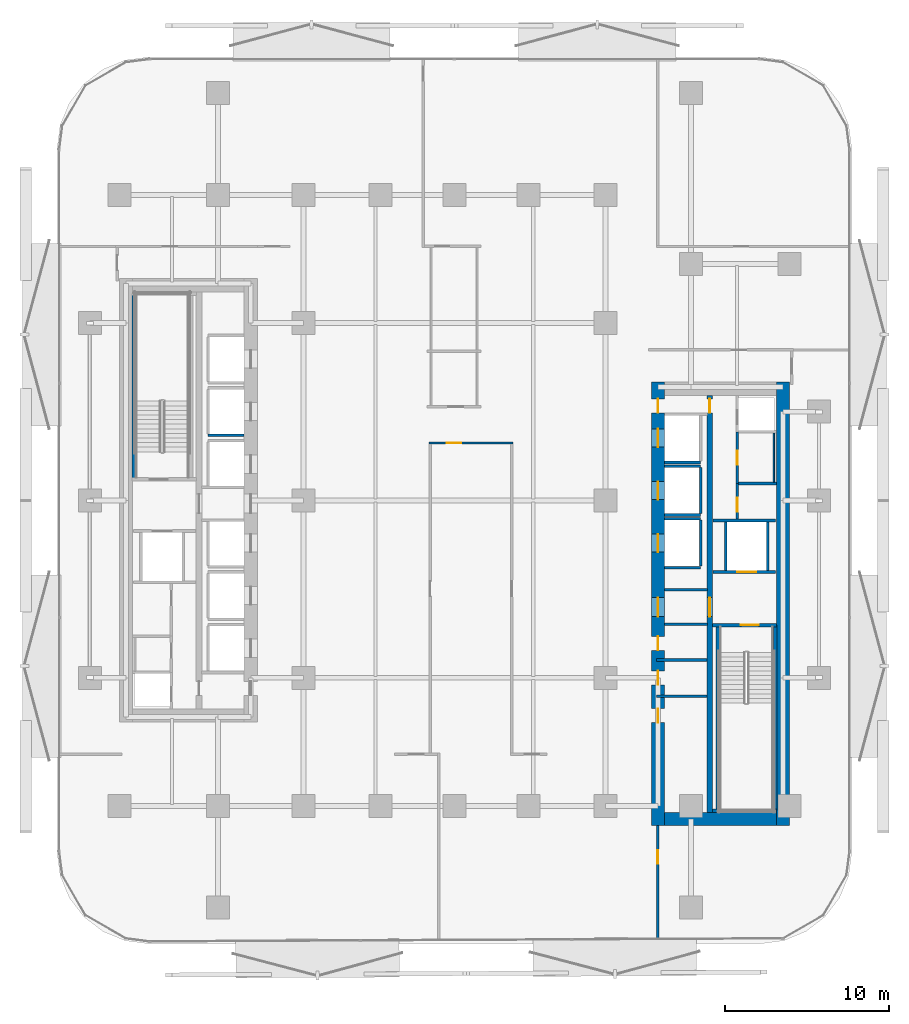
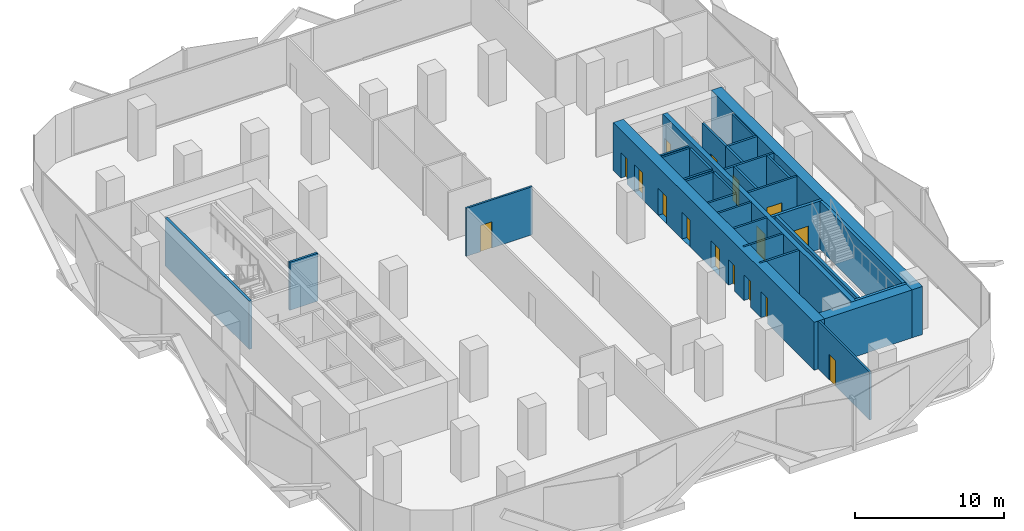
# One storey, part 4 of 15: 31 walls, 16 doors, 16 openings.
"""IFC4 building model written with IfcOpenShell, lengths in metres."""

from ifc_helpers import new_model, si_unit, direction, frame, frame_2d, origin, place, context, subcontext, project, spatial, rectangle, extrude, material, layer, layer_set, type_object, element, fill, save


model = new_model("IFC4")

# Units and contexts
model_context = context("Model", 3, precision=1e-05, world=origin(), true_north=direction((0.0, 1.0)))
body_context = subcontext(model_context, "Body", "Model", "MODEL_VIEW")
ifc_project = project(units=[si_unit("LENGTHUNIT", "METRE"), si_unit("AREAUNIT", "SQUARE_METRE"), si_unit("VOLUMEUNIT", "CUBIC_METRE"), si_unit("PLANEANGLEUNIT", "RADIAN"), si_unit("MASSUNIT", "GRAM", prefix="KILO")], contexts=[model_context])

# Site, building, storey
site_placement = place(None, origin())
site = spatial("IfcSite", under=ifc_project, at=site_placement, CompositionType="ELEMENT")
building_placement = place(site_placement, origin())
building = spatial("IfcBuilding", under=site, at=building_placement, Name="Khairoan Windgate Tower", CompositionType="ELEMENT")
storey_placement = place(building_placement, frame((0.0, 0.0, 59.60009765625)))
storey = spatial("IfcBuildingStorey", under=building, at=storey_placement, Name="L14", CompositionType="ELEMENT", Elevation=59.60009765625)

# Walls
ifc_material_1 = material(Name="Moisture-Resistant Gypsum Partition", Category="gypsum")
ifc_layer_1 = layer(ifc_material_1, 0.10009765625, Name="Moisture-Resistant Gypsum Partition")
ifc_layer_set_1 = layer_set([ifc_layer_1], Name="Moisture-Resistant Gypsum Partition")
wall_type_1 = type_object("IfcWallType", Name="Bathroom Wet-Area Partition Wall", PredefinedType="PARTITIONING", material=ifc_layer_set_1)
wall_1_placement = place(storey_placement, frame((19.449951171875, 4.090087890625, 0.0), z_axis=(0.0, 0.0, 1.0), x_axis=(0.0, -1.0, 0.0)))
element("IfcWall", 1, at=wall_1_placement, inside=storey, type_object=wall_type_1, Name="L14 Wet Room Side Wall 035", PredefinedType="PARTITIONING", context=body_context, shape_type="SweptSolid", body=[
    extrude(rectangle(XDim=2.97998046875, YDim=0.10009765625, at=frame_2d((1.489990234375, 0.0))), origin(), (0.0, 0.0, 1.0), 3.93994140625),
])
ifc_material_2 = material(Name="Concrete C40/50", Category="concrete")
ifc_layer_2 = layer(ifc_material_2, 0.159912109375, Name="Concrete C40/50")
ifc_layer_set_2 = layer_set([ifc_layer_2], Name="Concrete C40/50")
wall_type_2 = type_object("IfcWallType", Name="Core and Hoistway Enclosure Wall", PredefinedType="STANDARD", material=ifc_layer_set_2)
for number, where, z_axis, x_axis, name in (
    (2, (-14.989990234375, 3.9599609375, 0.0), (0.0, 0.0, 1.0), (1.0, 0.0, 0.0), "L14 Lift PL2 Hoistway Divider S"),
    (3, (12.800048828125, 2.31005859375, 0.0), (0.0, 0.0, 1.0), (1.0, 0.0, 0.0), "L14 Lift PL7 Hoistway Divider S"),
    (4, (12.800048828125, -0.889892578125, 0.0), (0.0, 0.0, 1.0), (1.0, 0.0, 0.0), "L14 Lift PL8 Hoistway Divider S"),
    (5, (12.800048828125, 2.090087890625, 0.0), (0.0, 0.0, 1.0), (1.0, 0.0, 0.0), "L14 Lift PL8 Hoistway Divider N"),
):
    element("IfcWall", number, at=place(storey_placement, frame(where, z_axis=z_axis, x_axis=x_axis)), inside=storey, type_object=wall_type_2, Name=name, PredefinedType="STANDARD", context=body_context, shape_type="SweptSolid", body=[
        extrude(rectangle(XDim=2.18994140625, YDim=0.159912109375, at=frame_2d((1.094970703125, 0.0))), origin(), (0.0, 0.0, 1.0), 3.93994140625),
    ])
wall_2_placement = place(storey_placement, frame((14.989990234375, -0.800048828125, 0.0), z_axis=(0.0, 0.0, 1.0), x_axis=(0.0, 1.0, 0.0)))
element("IfcWall", 6, at=wall_2_placement, inside=storey, type_object=wall_type_2, Name="L14 Lift PL8 Hoistway Back Wall", PredefinedType="STANDARD", context=body_context, shape_type="SweptSolid", body=[
    extrude(rectangle(XDim=2.800048828125, YDim=0.159912109375, at=frame_2d((1.39990234375, 0.0))), origin(), (0.0, 0.0, 1.0), 3.93994140625),
])
for number, where, z_axis, x_axis, name in (
    (7, (12.800048828125, -4.090087890625, 0.0), (0.0, 0.0, 1.0), (1.0, 0.0, 0.0), "L14 Lift PL9 Hoistway Divider S"),
    (8, (12.800048828125, -1.110107421875, 0.0), (0.0, 0.0, 1.0), (1.0, 0.0, 0.0), "L14 Lift PL9 Hoistway Divider N"),
):
    element("IfcWall", number, at=place(storey_placement, frame(where, z_axis=z_axis, x_axis=x_axis)), inside=storey, type_object=wall_type_2, Name=name, PredefinedType="STANDARD", context=body_context, shape_type="SweptSolid", body=[
        extrude(rectangle(XDim=2.18994140625, YDim=0.159912109375, at=frame_2d((1.094970703125, 0.0))), origin(), (0.0, 0.0, 1.0), 3.93994140625),
    ])
wall_3_placement = place(storey_placement, frame((14.989990234375, -4.0, 0.0), z_axis=(0.0, 0.0, 1.0), x_axis=(0.0, 1.0, 0.0)))
element("IfcWall", 9, at=wall_3_placement, inside=storey, type_object=wall_type_2, Name="L14 Lift PL9 Hoistway Back Wall", PredefinedType="STANDARD", context=body_context, shape_type="SweptSolid", body=[
    extrude(rectangle(XDim=2.800048828125, YDim=0.159912109375, at=frame_2d((1.39990234375, 0.0))), origin(), (0.0, 0.0, 1.0), 3.93994140625),
])

# Wall, opening, door
wall_4_placement = place(storey_placement, frame((15.75, -4.360107421875, 0.0), z_axis=(0.0, 0.0, 1.0), x_axis=(1.0, 0.0, 0.0)))
wall_4 = element("IfcWall", 10, at=wall_4_placement, inside=storey, type_object=wall_type_2, Name="L14 Core Shaft Wall SW-FL1-L14", PredefinedType="STANDARD", context=body_context, shape_type="SweptSolid", body=[
    extrude(rectangle(XDim=3.800048828125, YDim=0.159912109375, at=frame_2d((1.89990234375, 0.0))), origin(), (0.0, 0.0, 1.0), 3.93994140625),
])
opening_1_placement = place(wall_4_placement, frame((1.469970703125, 0.0, 0.0)))
opening_1 = element("IfcOpeningElement", 11, at=opening_1_placement, cuts=wall_4, Name="Opening LD-FL", PredefinedType="OPENING", context=body_context, shape_type="SweptSolid", body=[
    extrude(rectangle(XDim=1.14990234375, YDim=2.199951171875, at=frame_2d((0.574951171875, 1.10009765625))), frame((0.0, 0.08984375, 0.0), z_axis=(0.0, -1.0, 0.0), x_axis=(1.0, 0.0, 0.0)), (0.0, 0.0, 1.0), 0.179931640625),
])
ifc_material_3 = material(Name="Steel S355", Category="steel")
door_type_1 = type_object("IfcDoorType", Name="Firefighting Lift Sliding Landing Door LD-FL 1150x2200", OperationType="DOUBLE_DOOR_SLIDING", PredefinedType="DOOR", material=ifc_material_3)
door_1_placement = place(opening_1_placement, origin())
door_1 = element("IfcDoor", 12, at=door_1_placement, inside=storey, type_object=door_type_1, Name="L14 Firefighting Lift FL1 Landing Door", OperationType="DOUBLE_DOOR_SLIDING", OverallHeight=2.199951171875, OverallWidth=1.14990234375, PredefinedType="DOOR", context=body_context, shape_type="SweptSolid", body=[
    extrude(rectangle(XDim=1.14990234375, YDim=2.199951171875, at=frame_2d((0.574951171875, 1.10009765625))), frame((0.0, 0.02490234375, 0.0), z_axis=(0.0, -1.0, 0.0), x_axis=(1.0, 0.0, 0.0)), (0.0, 0.0, 1.0), 0.050048828125),
])
fill(opening_1, door_1)

# Walls
wall_5_placement = place(storey_placement, frame((15.75, -1.219970703125, 0.0), z_axis=(0.0, 0.0, 1.0), x_axis=(1.0, 0.0, 0.0)))
element("IfcWall", 13, at=wall_5_placement, inside=storey, type_object=wall_type_2, Name="L14 Core Shaft Wall SW-FL1T-L14", PredefinedType="STANDARD", context=body_context, shape_type="SweptSolid", body=[
    extrude(rectangle(XDim=3.800048828125, YDim=0.159912109375, at=frame_2d((1.89990234375, 0.0))), origin(), (0.0, 0.0, 1.0), 3.93994140625),
])
for number, where, z_axis, x_axis, name in (
    (14, (16.52001953125, -4.280029296875, 0.0), (0.0, 0.0, 1.0), (0.0, 1.0, 0.0), "L14 Core Shaft Wall SW-FL1W-L14"),
    (15, (19.080078125, -4.280029296875, 0.0), (0.0, 0.0, 1.0), (0.0, 1.0, 0.0), "L14 Core Shaft Wall SW-FL1E-L14"),
):
    element("IfcWall", number, at=place(storey_placement, frame(where, z_axis=z_axis, x_axis=x_axis)), inside=storey, type_object=wall_type_2, Name=name, PredefinedType="STANDARD", context=body_context, shape_type="SweptSolid", body=[
        extrude(rectangle(XDim=2.97998046875, YDim=0.159912109375, at=frame_2d((1.489990234375, 0.0))), origin(), (0.0, 0.0, 1.0), 3.93994140625),
    ])
for number, where, z_axis, x_axis, name in (
    (16, (12.800048828125, -5.449951171875, 0.0), (0.0, 0.0, 1.0), (1.0, 0.0, 0.0), "L14 Core Shaft Wall SW-EV1-L14"),
    (17, (12.800048828125, -7.5400390625, 0.0), (0.0, 0.0, 1.0), (1.0, 0.0, 0.0), "L14 Core Shaft Wall SW-EV2-L14"),
):
    element("IfcWall", number, at=place(storey_placement, frame(where, z_axis=z_axis, x_axis=x_axis)), inside=storey, type_object=wall_type_2, Name=name, PredefinedType="STANDARD", context=body_context, shape_type="SweptSolid", body=[
        extrude(rectangle(XDim=2.599853515625, YDim=0.159912109375, at=frame_2d((1.2998046875, 0.0))), origin(), (0.0, 0.0, 1.0), 3.93994140625),
    ])

# Wall, opening, door
ifc_material_4 = material(Name="Acoustic Fire-Rated Gypsum Partition", Category="gypsum")
ifc_layer_3 = layer(ifc_material_4, 0.139892578125, Name="Acoustic Fire-Rated Gypsum Partition")
ifc_layer_set_3 = layer_set([ifc_layer_3], Name="Acoustic Fire-Rated Gypsum Partition")
wall_type_3 = type_object("IfcWallType", Name="Inter-Tenancy Compartment Wall", PredefinedType="PARTITIONING", material=ifc_layer_set_3)
wall_6_placement = place(storey_placement, frame((12.3759765625, -26.704833984375, 0.0), z_axis=(0.0, 0.0, 1.0), x_axis=(0.0, 1.0, 0.0)))
wall_6 = element("IfcWall", 18, at=wall_6_placement, inside=storey, type_object=wall_type_3, Name="L14 Interior Partition 032", PredefinedType="PARTITIONING", context=body_context, shape_type="SweptSolid", body=[
    extrude(rectangle(XDim=6.90478515625, YDim=0.139892578125, at=frame_2d((3.452392578125, 0.0))), origin(), (0.0, 0.0, 1.0), 3.93994140625),
])
opening_2_placement = place(wall_6_placement, frame((4.56787109375, 0.0, 0.0)))
opening_2 = element("IfcOpeningElement", 19, at=opening_2_placement, cuts=wall_6, Name="Opening FD-SRV", PredefinedType="OPENING", context=body_context, shape_type="SweptSolid", body=[
    extrude(rectangle(XDim=0.85009765625, YDim=2.10009765625, at=frame_2d((0.425048828125, 1.050048828125))), frame((0.0, 0.079833984375, 0.0), z_axis=(0.0, -1.0, 0.0), x_axis=(1.0, 0.0, 0.0)), (0.0, 0.0, 1.0), 0.159912109375),
])
ifc_material_5 = material(Name="Steel S355", Category="steel")
door_type_2 = type_object("IfcDoorType", Name="Core Service and Riser Fire Door FD-SRV 850x2100", OperationType="NOTDEFINED", PredefinedType="DOOR", material=ifc_material_5)
door_2_placement = place(opening_2_placement, origin())
door_2 = element("IfcDoor", 20, at=door_2_placement, inside=storey, type_object=door_type_2, Name="L14 L14-45-L14-46 Door", OperationType="SINGLE_SWING_RIGHT", OverallHeight=2.10009765625, OverallWidth=0.85009765625, PredefinedType="DOOR", context=body_context, shape_type="SweptSolid", body=[
    extrude(rectangle(XDim=0.85009765625, YDim=2.10009765625, at=frame_2d((0.425048828125, 1.050048828125))), frame((0.0, 0.02490234375, 0.0), z_axis=(0.0, -1.0, 0.0), x_axis=(1.0, 0.0, 0.0)), (0.0, 0.0, 1.0), 0.050048828125),
])
fill(opening_2, door_2)

ifc_material_6 = material(Name="Concrete C40/50", Category="concrete")
ifc_layer_4 = layer(ifc_material_6, 0.159912109375, Name="Concrete C40/50")
ifc_layer_set_4 = layer_set([ifc_layer_4], Name="Concrete C40/50")
wall_type_4 = type_object("IfcWallType", Name="Plant and Refuge Compartment Wall", PredefinedType="PARTITIONING", material=ifc_layer_set_4)
wall_7_placement = place(storey_placement, frame((17.22998046875, -1.139892578125, 0.0), z_axis=(0.0, 0.0, 1.0), x_axis=(0.0, 1.0, 0.0)))
wall_7 = element("IfcWall", 21, at=wall_7_placement, inside=storey, type_object=wall_type_4, Name="L14 Interior Partition 007", PredefinedType="PARTITIONING", context=body_context, shape_type="SweptSolid", body=[
    extrude(rectangle(XDim=2.169921875, YDim=0.159912109375, at=frame_2d((1.0849609375, 0.0))), origin(), (0.0, 0.0, 1.0), 3.93994140625),
])
opening_3_placement = place(wall_7_placement, frame((0.4599609375, 0.0, 0.0)))
opening_3 = element("IfcOpeningElement", 22, at=opening_3_placement, cuts=wall_7, Name="Opening FD-SRV", PredefinedType="OPENING", context=body_context, shape_type="SweptSolid", body=[
    extrude(rectangle(XDim=0.85009765625, YDim=2.10009765625, at=frame_2d((0.425048828125, 1.050048828125))), frame((0.0, 0.08984375, 0.0), z_axis=(0.0, -1.0, 0.0), x_axis=(1.0, 0.0, 0.0)), (0.0, 0.0, 1.0), 0.179931640625),
])
door_3_placement = place(opening_3_placement, origin())
door_3 = element("IfcDoor", 23, at=door_3_placement, inside=storey, type_object=door_type_2, Name="L14 L14-19-L14-21 Door", OperationType="SINGLE_SWING_LEFT", OverallHeight=2.10009765625, OverallWidth=0.85009765625, PredefinedType="DOOR", context=body_context, shape_type="SweptSolid", body=[
    extrude(rectangle(XDim=0.85009765625, YDim=2.10009765625, at=frame_2d((0.425048828125, 1.050048828125))), frame((0.0, 0.02490234375, 0.0), z_axis=(0.0, -1.0, 0.0), x_axis=(1.0, 0.0, 0.0)), (0.0, 0.0, 1.0), 0.050048828125),
])
fill(opening_3, door_3)

wall_8_placement = place(storey_placement, frame((17.22998046875, 1.030029296875, 0.0), z_axis=(0.0, 0.0, 1.0), x_axis=(0.0, 1.0, 0.0)))
wall_8 = element("IfcWall", 24, at=wall_8_placement, inside=storey, type_object=wall_type_4, Name="L14 Interior Partition 008", PredefinedType="PARTITIONING", context=body_context, shape_type="SweptSolid", body=[
    extrude(rectangle(XDim=3.139892578125, YDim=0.159912109375, at=frame_2d((1.56982421875, 0.0))), origin(), (0.0, 0.0, 1.0), 3.93994140625),
])
opening_4_placement = place(wall_8_placement, frame((1.14501953125, 0.0, 0.0)))
opening_4 = element("IfcOpeningElement", 25, at=opening_4_placement, cuts=wall_8, Name="Opening FD-SRV", PredefinedType="OPENING", context=body_context, shape_type="SweptSolid", body=[
    extrude(rectangle(XDim=0.85009765625, YDim=2.10009765625, at=frame_2d((0.425048828125, 1.050048828125))), frame((0.0, 0.08984375, 0.0), z_axis=(0.0, -1.0, 0.0), x_axis=(1.0, 0.0, 0.0)), (0.0, 0.0, 1.0), 0.179931640625),
])
door_4_placement = place(opening_4_placement, origin())
door_4 = element("IfcDoor", 26, at=door_4_placement, inside=storey, type_object=door_type_2, Name="L14 L14-19-L14-22 Door", OperationType="SINGLE_SWING_RIGHT", OverallHeight=2.10009765625, OverallWidth=0.85009765625, PredefinedType="DOOR", context=body_context, shape_type="SweptSolid", body=[
    extrude(rectangle(XDim=0.85009765625, YDim=2.10009765625, at=frame_2d((0.425048828125, 1.050048828125))), frame((0.0, 0.02490234375, 0.0), z_axis=(0.0, -1.0, 0.0), x_axis=(1.0, 0.0, 0.0)), (0.0, 0.0, 1.0), 0.050048828125),
])
fill(opening_4, door_4)

# Walls
wall_9_placement = place(storey_placement, frame((17.31005859375, 1.030029296875, 0.0), z_axis=(0.0, 0.0, 1.0), x_axis=(1.0, 0.0, 0.0)))
element("IfcWall", 27, at=wall_9_placement, inside=storey, type_object=wall_type_4, Name="L14 Interior Partition 010", PredefinedType="PARTITIONING", context=body_context, shape_type="SweptSolid", body=[
    extrude(rectangle(XDim=2.2900390625, YDim=0.159912109375, at=frame_2d((1.14501953125, 0.0))), origin(), (0.0, 0.0, 1.0), 3.93994140625),
])
for number, where, z_axis, x_axis, name in (
    (28, (12.31005859375, -11.919921875, 0.0), (0.0, 0.0, 1.0), (1.0, 0.0, 0.0), "L14 Interior Partition 011"),
    (29, (12.31005859375, -9.719970703125, 0.0), (0.0, 0.0, 1.0), (1.0, 0.0, 0.0), "L14 Interior Partition 012"),
):
    element("IfcWall", number, at=place(storey_placement, frame(where, z_axis=z_axis, x_axis=x_axis)), inside=storey, type_object=wall_type_4, Name=name, PredefinedType="PARTITIONING", context=body_context, shape_type="SweptSolid", body=[
        extrude(rectangle(XDim=3.06494140625, YDim=0.159912109375, at=frame_2d((1.532470703125, 0.0))), origin(), (0.0, 0.0, 1.0), 3.93994140625),
    ])

# Wall, opening, door
ifc_material_7 = material(Name="Acoustic Fire-Rated Gypsum Partition", Category="gypsum")
ifc_layer_5 = layer(ifc_material_7, 0.14990234375, Name="Acoustic Fire-Rated Gypsum Partition")
ifc_layer_set_5 = layer_set([ifc_layer_5], Name="Acoustic Fire-Rated Gypsum Partition")
wall_type_5 = type_object("IfcWallType", Name="Rated Corridor Partition Wall", PredefinedType="PARTITIONING", material=ifc_layer_set_5)
wall_10_placement = place(storey_placement, frame((-1.56005859375, 3.4951171875, 0.0), z_axis=(0.0, 0.0, 1.0), x_axis=(1.0, 0.0, 0.0)))
wall_10 = element("IfcWall", 30, at=wall_10_placement, inside=storey, type_object=wall_type_5, Name="L14 Interior Partition 015", PredefinedType="PARTITIONING", context=body_context, shape_type="SweptSolid", body=[
    extrude(rectangle(XDim=5.1201171875, YDim=0.14990234375, at=frame_2d((2.56005859375, 0.0))), origin(), (0.0, 0.0, 1.0), 3.93994140625),
])
opening_5_placement = place(wall_10_placement, frame((1.07861328125, 0.0, 0.0)))
opening_5 = element("IfcOpeningElement", 31, at=opening_5_placement, cuts=wall_10, Name="Opening FD-ENT", PredefinedType="OPENING", context=body_context, shape_type="SweptSolid", body=[
    extrude(rectangle(XDim=0.89990234375, YDim=2.14990234375, at=frame_2d((0.449951171875, 1.074951171875))), frame((0.0, 0.0849609375, 0.0), z_axis=(0.0, -1.0, 0.0), x_axis=(1.0, 0.0, 0.0)), (0.0, 0.0, 1.0), 0.169921875),
])
ifc_material_8 = material(Name="Timber Fire-Rated Core", Category="wood")
door_type_3 = type_object("IfcDoorType", Name="Unit and Office Fire Entrance Door FD-ENT 900x2150", OperationType="NOTDEFINED", PredefinedType="DOOR", material=ifc_material_8)
door_5_placement = place(opening_5_placement, origin())
door_5 = element("IfcDoor", 32, at=door_5_placement, inside=storey, type_object=door_type_3, Name="L14 L14-33-L14-49 Door", OperationType="SINGLE_SWING_LEFT", OverallHeight=2.14990234375, OverallWidth=0.89990234375, PredefinedType="DOOR", context=body_context, shape_type="SweptSolid", body=[
    extrude(rectangle(XDim=0.89990234375, YDim=2.14990234375, at=frame_2d((0.449951171875, 1.074951171875))), frame((0.0, 0.02490234375, 0.0), z_axis=(0.0, -1.0, 0.0), x_axis=(1.0, 0.0, 0.0)), (0.0, 0.0, 1.0), 0.050048828125),
])
fill(opening_5, door_5)

# Wall, openings, doors
ifc_material_9 = material(Name="Concrete C70/85", Category="concrete")
ifc_layer_6 = layer(ifc_material_9, 0.800048828125, Name="Concrete C70/85")
ifc_layer_set_6 = layer_set([ifc_layer_6], Name="Concrete C70/85")
wall_type_6 = type_object("IfcWallType", Name="Shear Wall CW-E1 800mm", PredefinedType="SHEAR", material=ifc_layer_set_6)
wall_11_placement = place(storey_placement, frame((12.39990234375, -19.800048828125, 0.0), z_axis=(0.0, 0.0, 1.0), x_axis=(0.0, 1.0, 0.0)))
wall_11 = element("IfcWall", 33, at=wall_11_placement, inside=storey, type_object=wall_type_6, Name="E Core West Shear Wall L14", PredefinedType="SHEAR", context=body_context, shape_type="SweptSolid", body=[
    extrude(rectangle(XDim=27.0, YDim=0.800048828125, at=frame_2d((13.5, 0.0))), origin(), (0.0, 0.0, 1.0), 3.93994140625),
])
opening_6_placement = place(wall_11_placement, frame((23.050048828125, 0.0, 0.0)))
opening_6 = element("IfcOpeningElement", 34, at=opening_6_placement, cuts=wall_11, Name="Opening LD-PL", PredefinedType="OPENING", context=body_context, shape_type="SweptSolid", body=[
    extrude(rectangle(XDim=1.10009765625, YDim=2.199951171875, at=frame_2d((0.550048828125, 1.10009765625))), frame((0.0, 0.409912109375, 0.0), z_axis=(0.0, -1.0, 0.0), x_axis=(1.0, 0.0, 0.0)), (0.0, 0.0, 1.0), 0.820068359375),
])
opening_7_placement = place(wall_11_placement, frame((19.85009765625, 0.0, 0.0)))
opening_7 = element("IfcOpeningElement", 35, at=opening_7_placement, cuts=wall_11, Name="Opening LD-PL", PredefinedType="OPENING", context=body_context, shape_type="SweptSolid", body=[
    extrude(rectangle(XDim=1.10009765625, YDim=2.199951171875, at=frame_2d((0.550048828125, 1.10009765625))), frame((0.0, 0.409912109375, 0.0), z_axis=(0.0, -1.0, 0.0), x_axis=(1.0, 0.0, 0.0)), (0.0, 0.0, 1.0), 0.820068359375),
])
opening_8_placement = place(wall_11_placement, frame((16.64990234375, 0.0, 0.0)))
opening_8 = element("IfcOpeningElement", 36, at=opening_8_placement, cuts=wall_11, Name="Opening LD-PL", PredefinedType="OPENING", context=body_context, shape_type="SweptSolid", body=[
    extrude(rectangle(XDim=1.10009765625, YDim=2.199951171875, at=frame_2d((0.550048828125, 1.10009765625))), frame((0.0, 0.409912109375, 0.0), z_axis=(0.0, -1.0, 0.0), x_axis=(1.0, 0.0, 0.0)), (0.0, 0.0, 1.0), 0.820068359375),
])
opening_9_placement = place(wall_11_placement, frame((6.27490234375, 0.0, 0.0)))
opening_9 = element("IfcOpeningElement", 37, at=opening_9_placement, cuts=wall_11, Name="Opening FD-SRV", PredefinedType="OPENING", context=body_context, shape_type="SweptSolid", body=[
    extrude(rectangle(XDim=0.85009765625, YDim=2.10009765625, at=frame_2d((0.425048828125, 1.050048828125))), frame((0.0, 0.409912109375, 0.0), z_axis=(0.0, -1.0, 0.0), x_axis=(1.0, 0.0, 0.0)), (0.0, 0.0, 1.0), 0.820068359375),
])
opening_10_placement = place(wall_11_placement, frame((8.574951171875, 0.0, 0.0)))
opening_10 = element("IfcOpeningElement", 38, at=opening_10_placement, cuts=wall_11, Name="Opening FD-SRV", PredefinedType="OPENING", context=body_context, shape_type="SweptSolid", body=[
    extrude(rectangle(XDim=0.85009765625, YDim=2.10009765625, at=frame_2d((0.425048828125, 1.050048828125))), frame((0.0, 0.409912109375, 0.0), z_axis=(0.0, -1.0, 0.0), x_axis=(1.0, 0.0, 0.0)), (0.0, 0.0, 1.0), 0.820068359375),
])
opening_11_placement = place(wall_11_placement, frame((10.675048828125, 0.0, 0.0)))
opening_11 = element("IfcOpeningElement", 39, at=opening_11_placement, cuts=wall_11, Name="Opening FD-SRV", PredefinedType="OPENING", context=body_context, shape_type="SweptSolid", body=[
    extrude(rectangle(XDim=0.85009765625, YDim=2.10009765625, at=frame_2d((0.425048828125, 1.050048828125))), frame((0.0, 0.409912109375, 0.0), z_axis=(0.0, -1.0, 0.0), x_axis=(1.0, 0.0, 0.0)), (0.0, 0.0, 1.0), 0.820068359375),
])
opening_12_placement = place(wall_11_placement, frame((12.72509765625, 0.0, 0.0)))
opening_12 = element("IfcOpeningElement", 40, at=opening_12_placement, cuts=wall_11, Name="Opening FD-FFL", PredefinedType="OPENING", context=body_context, shape_type="SweptSolid", body=[
    extrude(rectangle(XDim=1.14990234375, YDim=2.199951171875, at=frame_2d((0.574951171875, 1.10009765625))), frame((0.0, 0.409912109375, 0.0), z_axis=(0.0, -1.0, 0.0), x_axis=(1.0, 0.0, 0.0)), (0.0, 0.0, 1.0), 0.820068359375),
])
opening_13_placement = place(wall_11_placement, frame((25.125, 0.0, 0.0)))
opening_13 = element("IfcOpeningElement", 41, at=opening_13_placement, cuts=wall_11, Name="Opening FD-SRV", PredefinedType="OPENING", context=body_context, shape_type="SweptSolid", body=[
    extrude(rectangle(XDim=0.85009765625, YDim=2.10009765625, at=frame_2d((0.425048828125, 1.050048828125))), frame((0.0, 0.409912109375, 0.0), z_axis=(0.0, -1.0, 0.0), x_axis=(1.0, 0.0, 0.0)), (0.0, 0.0, 1.0), 0.820068359375),
])
door_6_placement = place(opening_9_placement, origin())
door_6 = element("IfcDoor", 42, at=door_6_placement, inside=storey, type_object=door_type_2, Name="L14 East Core Service Room Door 1", OperationType="SINGLE_SWING_RIGHT", OverallHeight=2.10009765625, OverallWidth=0.85009765625, PredefinedType="DOOR", context=body_context, shape_type="SweptSolid", body=[
    extrude(rectangle(XDim=0.85009765625, YDim=2.10009765625, at=frame_2d((0.425048828125, 1.050048828125))), frame((0.0, 0.02490234375, 0.0), z_axis=(0.0, -1.0, 0.0), x_axis=(1.0, 0.0, 0.0)), (0.0, 0.0, 1.0), 0.050048828125),
])
fill(opening_9, door_6)
door_7_placement = place(opening_10_placement, origin())
door_7 = element("IfcDoor", 43, at=door_7_placement, inside=storey, type_object=door_type_2, Name="L14 East Core Service Room Door 2", OperationType="SINGLE_SWING_LEFT", OverallHeight=2.10009765625, OverallWidth=0.85009765625, PredefinedType="DOOR", context=body_context, shape_type="SweptSolid", body=[
    extrude(rectangle(XDim=0.85009765625, YDim=2.10009765625, at=frame_2d((0.425048828125, 1.050048828125))), frame((0.0, 0.02490234375, 0.0), z_axis=(0.0, -1.0, 0.0), x_axis=(1.0, 0.0, 0.0)), (0.0, 0.0, 1.0), 0.050048828125),
])
fill(opening_10, door_7)
door_8_placement = place(opening_11_placement, origin())
door_8 = element("IfcDoor", 44, at=door_8_placement, inside=storey, type_object=door_type_2, Name="L14 East Core Service Room Door 3", OperationType="SINGLE_SWING_RIGHT", OverallHeight=2.10009765625, OverallWidth=0.85009765625, PredefinedType="DOOR", context=body_context, shape_type="SweptSolid", body=[
    extrude(rectangle(XDim=0.85009765625, YDim=2.10009765625, at=frame_2d((0.425048828125, 1.050048828125))), frame((0.0, 0.02490234375, 0.0), z_axis=(0.0, -1.0, 0.0), x_axis=(1.0, 0.0, 0.0)), (0.0, 0.0, 1.0), 0.050048828125),
])
fill(opening_11, door_8)
door_9_placement = place(opening_13_placement, origin())
door_9 = element("IfcDoor", 45, at=door_9_placement, inside=storey, type_object=door_type_2, Name="L14 East Core Service Vestibule Outer Door", OperationType="SINGLE_SWING_LEFT", OverallHeight=2.10009765625, OverallWidth=0.85009765625, PredefinedType="DOOR", context=body_context, shape_type="SweptSolid", body=[
    extrude(rectangle(XDim=0.85009765625, YDim=2.10009765625, at=frame_2d((0.425048828125, 1.050048828125))), frame((0.0, 0.02490234375, 0.0), z_axis=(0.0, -1.0, 0.0), x_axis=(1.0, 0.0, 0.0)), (0.0, 0.0, 1.0), 0.050048828125),
])
fill(opening_13, door_9)
ifc_material_10 = material(Name="Steel S355", Category="steel")
door_type_4 = type_object("IfcDoorType", Name="Firefighting Lobby Fire Door FD-FFL 1150x2200", OperationType="NOTDEFINED", PredefinedType="DOOR", material=ifc_material_10)
door_10_placement = place(opening_12_placement, origin())
door_10 = element("IfcDoor", 46, at=door_10_placement, inside=storey, type_object=door_type_4, Name="L14 East Core Vestibule Entry Door", OperationType="SINGLE_SWING_LEFT", OverallHeight=2.199951171875, OverallWidth=1.14990234375, PredefinedType="DOOR", context=body_context, shape_type="SweptSolid", body=[
    extrude(rectangle(XDim=1.14990234375, YDim=2.199951171875, at=frame_2d((0.574951171875, 1.10009765625))), frame((0.0, 0.02490234375, 0.0), z_axis=(0.0, -1.0, 0.0), x_axis=(1.0, 0.0, 0.0)), (0.0, 0.0, 1.0), 0.050048828125),
])
fill(opening_12, door_10)
ifc_material_11 = material(Name="Anodised Bronze Aluminium 6063-T6", Category="aluminium")
door_type_5 = type_object("IfcDoorType", Name="Passenger Lift Sliding Landing Door LD-PL 1100x2200", OperationType="DOUBLE_DOOR_SLIDING", PredefinedType="DOOR", material=ifc_material_11)
door_11_placement = place(opening_6_placement, origin())
door_11 = element("IfcDoor", 47, at=door_11_placement, inside=storey, type_object=door_type_5, Name="L14 Lift PL7 Sliding Landing Door", OperationType="DOUBLE_DOOR_SLIDING", OverallHeight=2.199951171875, OverallWidth=1.10009765625, PredefinedType="DOOR", context=body_context, shape_type="SweptSolid", body=[
    extrude(rectangle(XDim=1.10009765625, YDim=2.199951171875, at=frame_2d((0.550048828125, 1.10009765625))), frame((0.0, 0.02490234375, 0.0), z_axis=(0.0, -1.0, 0.0), x_axis=(1.0, 0.0, 0.0)), (0.0, 0.0, 1.0), 0.050048828125),
])
fill(opening_6, door_11)
door_12_placement = place(opening_7_placement, origin())
door_12 = element("IfcDoor", 48, at=door_12_placement, inside=storey, type_object=door_type_5, Name="L14 Lift PL8 Sliding Landing Door", OperationType="DOUBLE_DOOR_SLIDING", OverallHeight=2.199951171875, OverallWidth=1.10009765625, PredefinedType="DOOR", context=body_context, shape_type="SweptSolid", body=[
    extrude(rectangle(XDim=1.10009765625, YDim=2.199951171875, at=frame_2d((0.550048828125, 1.10009765625))), frame((0.0, 0.02490234375, 0.0), z_axis=(0.0, -1.0, 0.0), x_axis=(1.0, 0.0, 0.0)), (0.0, 0.0, 1.0), 0.050048828125),
])
fill(opening_7, door_12)
door_13_placement = place(opening_8_placement, origin())
door_13 = element("IfcDoor", 49, at=door_13_placement, inside=storey, type_object=door_type_5, Name="L14 Lift PL9 Sliding Landing Door", OperationType="DOUBLE_DOOR_SLIDING", OverallHeight=2.199951171875, OverallWidth=1.10009765625, PredefinedType="DOOR", context=body_context, shape_type="SweptSolid", body=[
    extrude(rectangle(XDim=1.10009765625, YDim=2.199951171875, at=frame_2d((0.550048828125, 1.10009765625))), frame((0.0, 0.02490234375, 0.0), z_axis=(0.0, -1.0, 0.0), x_axis=(1.0, 0.0, 0.0)), (0.0, 0.0, 1.0), 0.050048828125),
])
fill(opening_8, door_13)

# Walls
wall_12_placement = place(storey_placement, frame((20.0, -19.800048828125, 0.0), z_axis=(0.0, 0.0, 1.0), x_axis=(0.0, 1.0, 0.0)))
element("IfcWall", 50, at=wall_12_placement, inside=storey, type_object=wall_type_6, Name="E Core East Shear Wall L14", PredefinedType="SHEAR", context=body_context, shape_type="SweptSolid", body=[
    extrude(rectangle(XDim=27.0, YDim=0.800048828125, at=frame_2d((13.5, 0.0))), origin(), (0.0, 0.0, 1.0), 3.93994140625),
])
wall_13_placement = place(storey_placement, frame((12.800048828125, -19.39990234375, 0.0), z_axis=(0.0, 0.0, 1.0), x_axis=(1.0, 0.0, 0.0)))
element("IfcWall", 51, at=wall_13_placement, inside=storey, type_object=wall_type_6, Name="E Core South Shear Wall L14", PredefinedType="SHEAR", context=body_context, shape_type="SweptSolid", body=[
    extrude(rectangle(XDim=6.800048828125, YDim=0.800048828125, at=frame_2d((3.39990234375, 0.0))), origin(), (0.0, 0.0, 1.0), 3.93994140625),
])

# Wall, openings, doors
ifc_material_12 = material(Name="Concrete C60/75", Category="concrete")
ifc_layer_7 = layer(ifc_material_12, 0.35009765625, Name="Concrete C60/75")
ifc_layer_set_7 = layer_set([ifc_layer_7], Name="Concrete C60/75")
wall_type_7 = type_object("IfcWallType", Name="Shear Wall SW-1 350mm", PredefinedType="SHEAR", material=ifc_layer_set_7)
wall_14_placement = place(storey_placement, frame((15.550048828125, -19.0, 0.0), z_axis=(0.0, 0.0, 1.0), x_axis=(0.0, 1.0, 0.0)))
wall_14 = element("IfcWall", 52, at=wall_14_placement, inside=storey, type_object=wall_type_7, Name="E Core Spine Shear Wall L14", PredefinedType="SHEAR", context=body_context, shape_type="SweptSolid", body=[
    extrude(rectangle(XDim=25.39990234375, YDim=0.35009765625, at=frame_2d((12.699951171875, 0.0))), origin(), (0.0, 0.0, 1.0), 3.93994140625),
])
opening_14_placement = place(wall_14_placement, frame((11.925048828125, 0.0, 0.0)))
opening_14 = element("IfcOpeningElement", 53, at=opening_14_placement, cuts=wall_14, Name="Opening FD-FFL", PredefinedType="OPENING", context=body_context, shape_type="SweptSolid", body=[
    extrude(rectangle(XDim=1.14990234375, YDim=2.199951171875, at=frame_2d((0.574951171875, 1.10009765625))), frame((0.0, 0.18505859375, 0.0), z_axis=(0.0, -1.0, 0.0), x_axis=(1.0, 0.0, 0.0)), (0.0, 0.0, 1.0), 0.3701171875),
])
opening_15_placement = place(wall_14_placement, frame((24.324951171875, 0.0, 0.0)))
opening_15 = element("IfcOpeningElement", 54, at=opening_15_placement, cuts=wall_14, Name="Opening FD-SRV", PredefinedType="OPENING", context=body_context, shape_type="SweptSolid", body=[
    extrude(rectangle(XDim=0.85009765625, YDim=2.10009765625, at=frame_2d((0.425048828125, 1.050048828125))), frame((0.0, 0.18505859375, 0.0), z_axis=(0.0, -1.0, 0.0), x_axis=(1.0, 0.0, 0.0)), (0.0, 0.0, 1.0), 0.3701171875),
])
door_14_placement = place(opening_15_placement, origin())
door_14 = element("IfcDoor", 55, at=door_14_placement, inside=storey, type_object=door_type_2, Name="L14 East Core Service Passage Inner Door", OperationType="SINGLE_SWING_RIGHT", OverallHeight=2.10009765625, OverallWidth=0.85009765625, PredefinedType="DOOR", context=body_context, shape_type="SweptSolid", body=[
    extrude(rectangle(XDim=0.85009765625, YDim=2.10009765625, at=frame_2d((0.425048828125, 1.050048828125))), frame((0.0, 0.02490234375, 0.0), z_axis=(0.0, -1.0, 0.0), x_axis=(1.0, 0.0, 0.0)), (0.0, 0.0, 1.0), 0.050048828125),
])
fill(opening_15, door_14)
door_15_placement = place(opening_14_placement, origin())
door_15 = element("IfcDoor", 56, at=door_15_placement, inside=storey, type_object=door_type_4, Name="L14 East Firefighting Lobby Fire Door", OperationType="SINGLE_SWING_RIGHT", OverallHeight=2.199951171875, OverallWidth=1.14990234375, PredefinedType="DOOR", context=body_context, shape_type="SweptSolid", body=[
    extrude(rectangle(XDim=1.14990234375, YDim=2.199951171875, at=frame_2d((0.574951171875, 1.10009765625))), frame((0.0, 0.02490234375, 0.0), z_axis=(0.0, -1.0, 0.0), x_axis=(1.0, 0.0, 0.0)), (0.0, 0.0, 1.0), 0.050048828125),
])
fill(opening_14, door_15)

# Walls
ifc_material_13 = material(Name="Concrete C50/60", Category="concrete")
ifc_layer_8 = layer(ifc_material_13, 0.219970703125, Name="Concrete C50/60")
ifc_layer_set_8 = layer_set([ifc_layer_8], Name="Concrete C50/60")
wall_type_8 = type_object("IfcWallType", Name="Shear Wall SW-ST 220mm", PredefinedType="SHEAR", material=ifc_layer_set_8)
for number, where, z_axis, x_axis, name in (
    (57, (16.0400390625, -18.889892578125, 0.0), (0.0, 0.0, 1.0), (0.0, 1.0, 0.0), "L14 Stair ST1 West Bearing Wall"),
    (58, (19.530029296875, -18.889892578125, 0.0), (0.0, 0.0, 1.0), (0.0, 1.0, 0.0), "L14 Stair ST1 East Bearing Wall"),
):
    element("IfcWall", number, at=place(storey_placement, frame(where, z_axis=z_axis, x_axis=x_axis)), inside=storey, type_object=wall_type_8, Name=name, PredefinedType="SHEAR", context=body_context, shape_type="SweptSolid", body=[
        extrude(rectangle(XDim=11.2998046875, YDim=0.219970703125, at=frame_2d((5.64990234375, 0.0))), origin(), (0.0, 0.0, 1.0), 3.93994140625),
    ])
wall_15_placement = place(storey_placement, frame((15.705078125, -18.889892578125, 0.0), z_axis=(0.0, 0.0, 1.0), x_axis=(1.0, 0.0, 0.0)))
element("IfcWall", 59, at=wall_15_placement, inside=storey, type_object=wall_type_8, Name="L14 Stair ST1 South Bearing Wall", PredefinedType="SHEAR", context=body_context, shape_type="SweptSolid", body=[
    extrude(rectangle(XDim=3.9150390625, YDim=0.219970703125, at=frame_2d((1.95751953125, 0.0))), origin(), (0.0, 0.0, 1.0), 3.93994140625),
])

# Wall, opening, door
wall_16_placement = place(storey_placement, frame((19.6201171875, -7.590087890625, 0.0), z_axis=(0.0, 0.0, 1.0), x_axis=(-1.0, 0.0, 0.0)))
wall_16 = element("IfcWall", 60, at=wall_16_placement, inside=storey, type_object=wall_type_8, Name="L14 Stair ST1 North Bearing Wall", PredefinedType="SHEAR", context=body_context, shape_type="SweptSolid", body=[
    extrude(rectangle(XDim=3.9150390625, YDim=0.219970703125, at=frame_2d((1.95751953125, 0.0))), origin(), (0.0, 0.0, 1.0), 3.93994140625),
])
opening_16_placement = place(wall_16_placement, frame((1.080078125, 0.0, 0.0)))
opening_16 = element("IfcOpeningElement", 61, at=opening_16_placement, cuts=wall_16, Name="Opening FD-ST", PredefinedType="OPENING", context=body_context, shape_type="SweptSolid", body=[
    extrude(rectangle(XDim=1.10009765625, YDim=2.199951171875, at=frame_2d((0.550048828125, 1.10009765625))), frame((0.0, 0.119873046875, 0.0), z_axis=(0.0, -1.0, 0.0), x_axis=(1.0, 0.0, 0.0)), (0.0, 0.0, 1.0), 0.239990234375),
])
ifc_material_14 = material(Name="Steel S355", Category="steel")
door_type_6 = type_object("IfcDoorType", Name="Smokeproof Stair Fire Door FD-ST 1100x2200", OperationType="NOTDEFINED", PredefinedType="DOOR", material=ifc_material_14)
door_16_placement = place(opening_16_placement, origin())
door_16 = element("IfcDoor", 62, at=door_16_placement, inside=storey, type_object=door_type_6, Name="L14 Stair ST1 Fire Door", OperationType="SINGLE_SWING_RIGHT", OverallHeight=2.199951171875, OverallWidth=1.10009765625, PredefinedType="DOOR", context=body_context, shape_type="SweptSolid", body=[
    extrude(rectangle(XDim=1.10009765625, YDim=2.199951171875, at=frame_2d((0.550048828125, 1.10009765625))), frame((0.0, 0.02490234375, 0.0), z_axis=(0.0, -1.0, 0.0), x_axis=(1.0, 0.0, 0.0)), (0.0, 0.0, 1.0), 0.050048828125),
])
fill(opening_16, door_16)

# Wall
wall_17_placement = place(storey_placement, frame((-19.530029296875, 1.2900390625, 0.0), z_axis=(0.0, 0.0, 1.0), x_axis=(0.0, 1.0, 0.0)))
element("IfcWall", 63, at=wall_17_placement, inside=storey, type_object=wall_type_8, Name="L14 Stair ST2 West Bearing Wall", PredefinedType="SHEAR", context=body_context, shape_type="SweptSolid", body=[
    extrude(rectangle(XDim=11.300048828125, YDim=0.219970703125, at=frame_2d((5.64990234375, 0.0))), origin(), (0.0, 0.0, 1.0), 3.93994140625),
])

save(model, "model.ifc")
